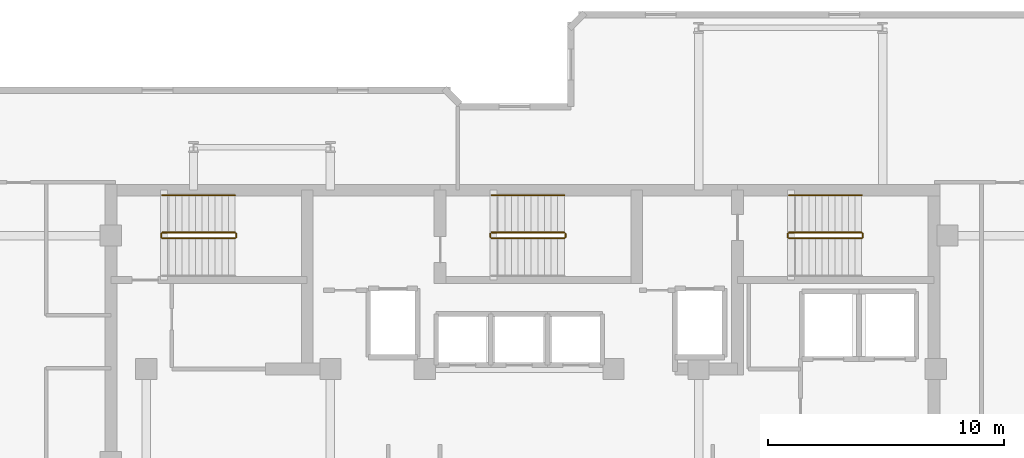
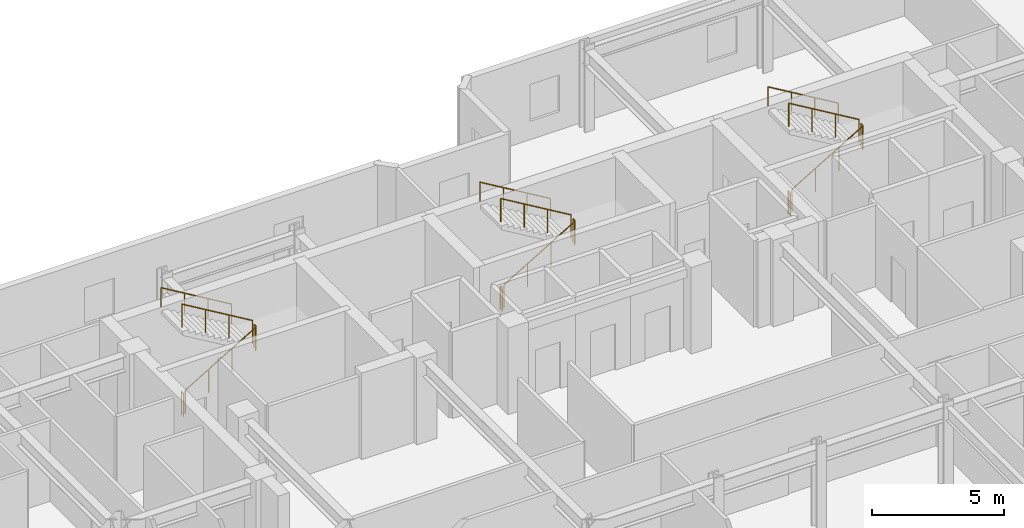
# One storey, part 10 of 10: 15 railings.
"""IFC4 building model written with IfcOpenShell, lengths in metres."""

from ifc_helpers import new_model, si_unit, direction, frame, origin, origin_2d, place, context, subcontext, project, spatial, circle, extrude, material, type_object, element, save


model = new_model("IFC4")

# Units and contexts
model_context = context("Model", 3, precision=1e-05, world=origin(), true_north=direction((0.0, 1.0)))
body_context = subcontext(model_context, "Body", "Model", "MODEL_VIEW")
ifc_project = project(units=[si_unit("LENGTHUNIT", "METRE"), si_unit("AREAUNIT", "SQUARE_METRE"), si_unit("VOLUMEUNIT", "CUBIC_METRE"), si_unit("PLANEANGLEUNIT", "RADIAN"), si_unit("MASSUNIT", "GRAM", prefix="KILO")], contexts=[model_context])

# Site, building, storey
site_placement = place(None, origin())
site = spatial("IfcSite", under=ifc_project, at=site_placement, CompositionType="ELEMENT")
building_placement = place(site_placement, origin())
building = spatial("IfcBuilding", under=site, at=building_placement, Name="Kestravale Grand Hotel", CompositionType="ELEMENT")
storey_placement = place(building_placement, frame((0.0, 0.0, 277.39990234375)))
storey = spatial("IfcBuildingStorey", under=building, at=storey_placement, Name="L69", CompositionType="ELEMENT", Elevation=277.39990234375)

# Railings
ifc_material_1 = material(Name="Painted tubular steel stair well guard", Category="steel")
railing_type_1 = type_object("IfcRailingType", Name="RL-ST-GRD1100", PredefinedType="GUARDRAIL", material=ifc_material_1)
railing_1_placement = place(storey_placement, frame((24.080078125, 38.280029296875, 0.166748046875)))
element("IfcRailing", 1, at=railing_1_placement, inside=storey, type_object=railing_type_1, Name="L69 ST-1 stair guard 1", PredefinedType="GUARDRAIL", context=body_context, shape_type="SweptSolid", body=[
    extrude(circle(Radius=0.02392578125, at=origin_2d()), frame((0.0, 0.0, 1.076171875), z_axis=(0.859290745958, 0.0, 0.51148745235), x_axis=(0.0, 1.0, 0.0)), (0.0, 0.0, 1.0), 3.584228515625),
    extrude(circle(Radius=0.02099609375, at=origin_2d()), origin(), (0.0, 0.0, 1.0), 1.052001953125),
    extrude(circle(Radius=0.02099609375, at=origin_2d()), frame((1.026611328125, 0.0, 0.611083984375)), (0.0, 0.0, 1.0), 1.052001953125),
    extrude(circle(Radius=0.02099609375, at=origin_2d()), frame((2.05322265625, 0.0, 1.22216796875)), (0.0, 0.0, 1.0), 1.052001953125),
    extrude(circle(Radius=0.02099609375, at=origin_2d()), frame((3.079833984375, 0.0, 1.833251953125)), (0.0, 0.0, 1.0), 1.052001953125),
])
railing_2_placement = place(storey_placement, frame((27.2099609375, 38.330078125, 2.0)))
element("IfcRailing", 2, at=railing_2_placement, inside=storey, type_object=railing_type_1, Name="L69 ST-1 stair guard 2", PredefinedType="GUARDRAIL", context=body_context, shape_type="SweptSolid", body=[
    extrude(circle(Radius=0.02392578125, at=origin_2d()), frame((0.0, 0.0, 1.076171875), z_axis=(0.0, 1.0, 0.0), x_axis=(-1.0, 0.0, 0.0)), (0.0, 0.0, 1.0), 0.14990234375),
    extrude(circle(Radius=0.02099609375, at=origin_2d()), origin(), (0.0, 0.0, 1.0), 1.052001953125),
    extrude(circle(Radius=0.02099609375, at=origin_2d()), frame((0.0, 0.14990234375, 0.0)), (0.0, 0.0, 1.0), 1.052001953125),
])
railing_3_placement = place(storey_placement, frame((27.159912109375, 38.530029296875, 2.166748046875)))
element("IfcRailing", 3, at=railing_3_placement, inside=storey, type_object=railing_type_1, Name="L69 ST-1 stair guard 3", PredefinedType="GUARDRAIL", context=body_context, shape_type="SweptSolid", body=[
    extrude(circle(Radius=0.02392578125, at=origin_2d()), frame((0.0, 0.0, 1.076171875), z_axis=(-0.859290745958, 0.0, 0.51148745235), x_axis=(0.0, -1.0, 0.0)), (0.0, 0.0, 1.0), 3.584228515625),
    extrude(circle(Radius=0.02099609375, at=origin_2d()), origin(), (0.0, 0.0, 1.0), 1.052001953125),
    extrude(circle(Radius=0.02099609375, at=origin_2d()), frame((-1.026611328125, 0.0, 0.611083984375)), (0.0, 0.0, 1.0), 1.052001953125),
    extrude(circle(Radius=0.02099609375, at=origin_2d()), frame((-2.05322265625, 0.0, 1.22216796875)), (0.0, 0.0, 1.0), 1.052001953125),
    extrude(circle(Radius=0.02099609375, at=origin_2d()), frame((-3.079833984375, 0.0, 1.833251953125)), (0.0, 0.0, 1.0), 1.052001953125),
])
railing_4_placement = place(storey_placement, frame((24.030029296875, 38.330078125, 0.0)))
element("IfcRailing", 4, at=railing_4_placement, inside=storey, type_object=railing_type_1, Name="L69 ST-1 stair guard 4", PredefinedType="GUARDRAIL", context=body_context, shape_type="SweptSolid", body=[
    extrude(circle(Radius=0.02392578125, at=origin_2d()), frame((0.0, 0.0, 1.076171875), z_axis=(0.0, 1.0, 0.0), x_axis=(-1.0, 0.0, 0.0)), (0.0, 0.0, 1.0), 0.14990234375),
    extrude(circle(Radius=0.02099609375, at=origin_2d()), origin(), (0.0, 0.0, 1.0), 1.052001953125),
    extrude(circle(Radius=0.02099609375, at=origin_2d()), frame((0.0, 0.14990234375, 0.0)), (0.0, 0.0, 1.0), 1.052001953125),
])
railing_5_placement = place(storey_placement, frame((38.030029296875, 38.280029296875, 0.166748046875)))
element("IfcRailing", 5, at=railing_5_placement, inside=storey, type_object=railing_type_1, Name="L69 ST-2 stair guard 1", PredefinedType="GUARDRAIL", context=body_context, shape_type="SweptSolid", body=[
    extrude(circle(Radius=0.02392578125, at=origin_2d()), frame((0.0, 0.0, 1.076171875), z_axis=(0.859308565015, 0.0, 0.511457515432), x_axis=(0.0, 1.0, 0.0)), (0.0, 0.0, 1.0), 3.58447265625),
    extrude(circle(Radius=0.02099609375, at=origin_2d()), origin(), (0.0, 0.0, 1.0), 1.052001953125),
    extrude(circle(Radius=0.02099609375, at=origin_2d()), frame((1.026611328125, 0.0, 0.611083984375)), (0.0, 0.0, 1.0), 1.052001953125),
    extrude(circle(Radius=0.02099609375, at=origin_2d()), frame((2.053466796875, 0.0, 1.22216796875)), (0.0, 0.0, 1.0), 1.052001953125),
    extrude(circle(Radius=0.02099609375, at=origin_2d()), frame((3.080078125, 0.0, 1.833251953125)), (0.0, 0.0, 1.0), 1.052001953125),
])
railing_6_placement = place(storey_placement, frame((41.159912109375, 38.330078125, 2.0)))
element("IfcRailing", 6, at=railing_6_placement, inside=storey, type_object=railing_type_1, Name="L69 ST-2 stair guard 2", PredefinedType="GUARDRAIL", context=body_context, shape_type="SweptSolid", body=[
    extrude(circle(Radius=0.02392578125, at=origin_2d()), frame((0.0, 0.0, 1.076171875), z_axis=(0.0, 1.0, 0.0), x_axis=(-1.0, 0.0, 0.0)), (0.0, 0.0, 1.0), 0.14990234375),
    extrude(circle(Radius=0.02099609375, at=origin_2d()), origin(), (0.0, 0.0, 1.0), 1.052001953125),
    extrude(circle(Radius=0.02099609375, at=origin_2d()), frame((0.0, 0.14990234375, 0.0)), (0.0, 0.0, 1.0), 1.052001953125),
])
railing_7_placement = place(storey_placement, frame((41.110107421875, 38.530029296875, 2.166748046875)))
element("IfcRailing", 7, at=railing_7_placement, inside=storey, type_object=railing_type_1, Name="L69 ST-2 stair guard 3", PredefinedType="GUARDRAIL", context=body_context, shape_type="SweptSolid", body=[
    extrude(circle(Radius=0.02392578125, at=origin_2d()), frame((0.0, 0.0, 1.076171875), z_axis=(-0.859308565015, 0.0, 0.511457515432), x_axis=(0.0, -1.0, 0.0)), (0.0, 0.0, 1.0), 3.58447265625),
    extrude(circle(Radius=0.02099609375, at=origin_2d()), origin(), (0.0, 0.0, 1.0), 1.052001953125),
    extrude(circle(Radius=0.02099609375, at=origin_2d()), frame((-1.026611328125, 0.0, 0.611083984375)), (0.0, 0.0, 1.0), 1.052001953125),
    extrude(circle(Radius=0.02099609375, at=origin_2d()), frame((-2.053466796875, 0.0, 1.22216796875)), (0.0, 0.0, 1.0), 1.052001953125),
    extrude(circle(Radius=0.02099609375, at=origin_2d()), frame((-3.080078125, 0.0, 1.833251953125)), (0.0, 0.0, 1.0), 1.052001953125),
])
railing_8_placement = place(storey_placement, frame((37.97998046875, 38.330078125, 0.0)))
element("IfcRailing", 8, at=railing_8_placement, inside=storey, type_object=railing_type_1, Name="L69 ST-2 stair guard 4", PredefinedType="GUARDRAIL", context=body_context, shape_type="SweptSolid", body=[
    extrude(circle(Radius=0.02392578125, at=origin_2d()), frame((0.0, 0.0, 1.076171875), z_axis=(0.0, 1.0, 0.0), x_axis=(-1.0, 0.0, 0.0)), (0.0, 0.0, 1.0), 0.14990234375),
    extrude(circle(Radius=0.02099609375, at=origin_2d()), origin(), (0.0, 0.0, 1.0), 1.052001953125),
    extrude(circle(Radius=0.02099609375, at=origin_2d()), frame((0.0, 0.14990234375, 0.0)), (0.0, 0.0, 1.0), 1.052001953125),
])
railing_9_placement = place(storey_placement, frame((50.6298828125, 38.280029296875, 0.166748046875)))
element("IfcRailing", 9, at=railing_9_placement, inside=storey, type_object=railing_type_1, Name="L69 ST-3 stair guard 1", PredefinedType="GUARDRAIL", context=body_context, shape_type="SweptSolid", body=[
    extrude(circle(Radius=0.02392578125, at=origin_2d()), frame((0.0, 0.0, 1.076171875), z_axis=(0.859308565015, 0.0, 0.511457515432), x_axis=(0.0, 1.0, 0.0)), (0.0, 0.0, 1.0), 3.58447265625),
    extrude(circle(Radius=0.02099609375, at=origin_2d()), origin(), (0.0, 0.0, 1.0), 1.052001953125),
    extrude(circle(Radius=0.02099609375, at=origin_2d()), frame((1.026611328125, 0.0, 0.611083984375)), (0.0, 0.0, 1.0), 1.052001953125),
    extrude(circle(Radius=0.02099609375, at=origin_2d()), frame((2.053466796875, 0.0, 1.22216796875)), (0.0, 0.0, 1.0), 1.052001953125),
    extrude(circle(Radius=0.02099609375, at=origin_2d()), frame((3.080078125, 0.0, 1.833251953125)), (0.0, 0.0, 1.0), 1.052001953125),
])
railing_10_placement = place(storey_placement, frame((53.760009765625, 38.330078125, 2.0)))
element("IfcRailing", 10, at=railing_10_placement, inside=storey, type_object=railing_type_1, Name="L69 ST-3 stair guard 2", PredefinedType="GUARDRAIL", context=body_context, shape_type="SweptSolid", body=[
    extrude(circle(Radius=0.02392578125, at=origin_2d()), frame((0.0, 0.0, 1.076171875), z_axis=(0.0, 1.0, 0.0), x_axis=(-1.0, 0.0, 0.0)), (0.0, 0.0, 1.0), 0.14990234375),
    extrude(circle(Radius=0.02099609375, at=origin_2d()), origin(), (0.0, 0.0, 1.0), 1.052001953125),
    extrude(circle(Radius=0.02099609375, at=origin_2d()), frame((0.0, 0.14990234375, 0.0)), (0.0, 0.0, 1.0), 1.052001953125),
])
railing_11_placement = place(storey_placement, frame((53.7099609375, 38.530029296875, 2.166748046875)))
element("IfcRailing", 11, at=railing_11_placement, inside=storey, type_object=railing_type_1, Name="L69 ST-3 stair guard 3", PredefinedType="GUARDRAIL", context=body_context, shape_type="SweptSolid", body=[
    extrude(circle(Radius=0.02392578125, at=origin_2d()), frame((0.0, 0.0, 1.076171875), z_axis=(-0.859308565015, 0.0, 0.511457515432), x_axis=(0.0, -1.0, 0.0)), (0.0, 0.0, 1.0), 3.58447265625),
    extrude(circle(Radius=0.02099609375, at=origin_2d()), origin(), (0.0, 0.0, 1.0), 1.052001953125),
    extrude(circle(Radius=0.02099609375, at=origin_2d()), frame((-1.026611328125, 0.0, 0.611083984375)), (0.0, 0.0, 1.0), 1.052001953125),
    extrude(circle(Radius=0.02099609375, at=origin_2d()), frame((-2.053466796875, 0.0, 1.22216796875)), (0.0, 0.0, 1.0), 1.052001953125),
    extrude(circle(Radius=0.02099609375, at=origin_2d()), frame((-3.080078125, 0.0, 1.833251953125)), (0.0, 0.0, 1.0), 1.052001953125),
])
railing_12_placement = place(storey_placement, frame((50.580078125, 38.330078125, 0.0)))
element("IfcRailing", 12, at=railing_12_placement, inside=storey, type_object=railing_type_1, Name="L69 ST-3 stair guard 4", PredefinedType="GUARDRAIL", context=body_context, shape_type="SweptSolid", body=[
    extrude(circle(Radius=0.02392578125, at=origin_2d()), frame((0.0, 0.0, 1.076171875), z_axis=(0.0, 1.0, 0.0), x_axis=(-1.0, 0.0, 0.0)), (0.0, 0.0, 1.0), 0.14990234375),
    extrude(circle(Radius=0.02099609375, at=origin_2d()), origin(), (0.0, 0.0, 1.0), 1.052001953125),
    extrude(circle(Radius=0.02099609375, at=origin_2d()), frame((0.0, 0.14990234375, 0.0)), (0.0, 0.0, 1.0), 1.052001953125),
])
ifc_material_2 = material(Name="Brushed stainless steel wall handrail", Category="steel")
railing_type_2 = type_object("IfcRailingType", Name="RL-ST-HND900", PredefinedType="HANDRAIL", material=ifc_material_2)
railing_13_placement = place(storey_placement, frame((27.159912109375, 40.110107421875, 2.166748046875)))
element("IfcRailing", 13, at=railing_13_placement, inside=storey, type_object=railing_type_2, Name="L69 ST-1 stair handrail 2", PredefinedType="HANDRAIL", context=body_context, shape_type="SweptSolid", body=[
    extrude(circle(Radius=0.02392578125, at=origin_2d()), frame((0.0, 0.0, 0.8759765625), z_axis=(-0.859290745958, 0.0, 0.51148745235), x_axis=(0.0, -1.0, 0.0)), (0.0, 0.0, 1.0), 3.584228515625),
    extrude(circle(Radius=0.02099609375, at=origin_2d()), origin(), (0.0, 0.0, 1.0), 0.851806640625),
    extrude(circle(Radius=0.02099609375, at=origin_2d()), frame((-1.026611328125, 0.0, 0.611083984375)), (0.0, 0.0, 1.0), 0.851806640625),
    extrude(circle(Radius=0.02099609375, at=origin_2d()), frame((-2.05322265625, 0.0, 1.22216796875)), (0.0, 0.0, 1.0), 0.851806640625),
    extrude(circle(Radius=0.02099609375, at=origin_2d()), frame((-3.079833984375, 0.0, 1.833251953125)), (0.0, 0.0, 1.0), 0.851806640625),
])
for number, where, name in (
    (14, (41.110107421875, 40.110107421875, 2.166748046875), "L69 ST-2 stair handrail 2"),
    (15, (53.7099609375, 40.110107421875, 2.166748046875), "L69 ST-3 stair handrail 2"),
):
    element("IfcRailing", number, at=place(storey_placement, frame(where)), inside=storey, type_object=railing_type_2, Name=name, PredefinedType="HANDRAIL", context=body_context, shape_type="SweptSolid", body=[
        extrude(circle(Radius=0.02392578125, at=origin_2d()), frame((0.0, 0.0, 0.8759765625), z_axis=(-0.859308565015, 0.0, 0.511457515432), x_axis=(0.0, -1.0, 0.0)), (0.0, 0.0, 1.0), 3.58447265625),
        extrude(circle(Radius=0.02099609375, at=origin_2d()), origin(), (0.0, 0.0, 1.0), 0.851806640625),
        extrude(circle(Radius=0.02099609375, at=origin_2d()), frame((-1.026611328125, 0.0, 0.611083984375)), (0.0, 0.0, 1.0), 0.851806640625),
        extrude(circle(Radius=0.02099609375, at=origin_2d()), frame((-2.053466796875, 0.0, 1.22216796875)), (0.0, 0.0, 1.0), 0.851806640625),
        extrude(circle(Radius=0.02099609375, at=origin_2d()), frame((-3.080078125, 0.0, 1.833251953125)), (0.0, 0.0, 1.0), 0.851806640625),
    ])

save(model, "model.ifc")
